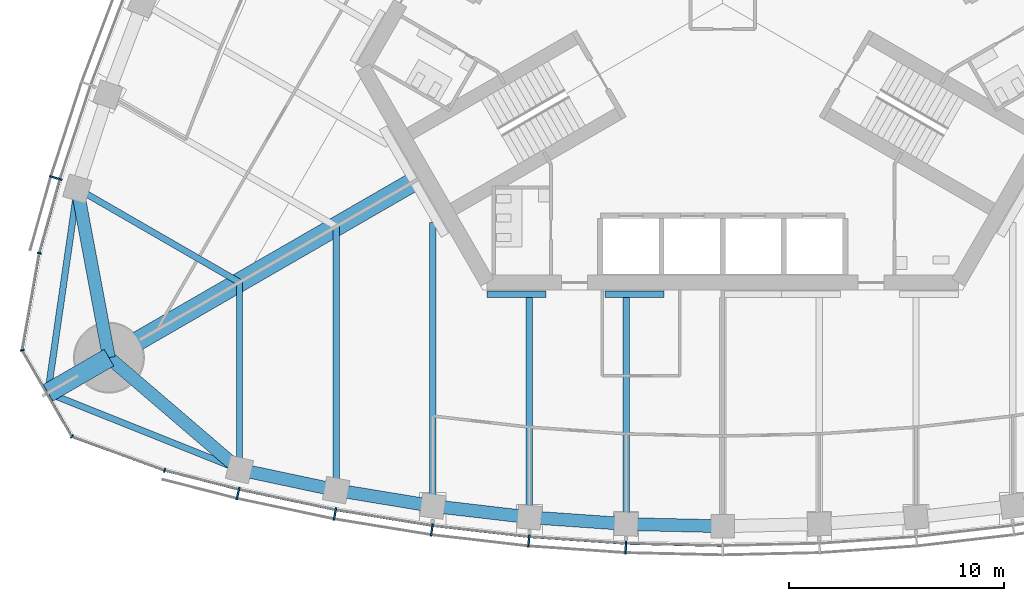
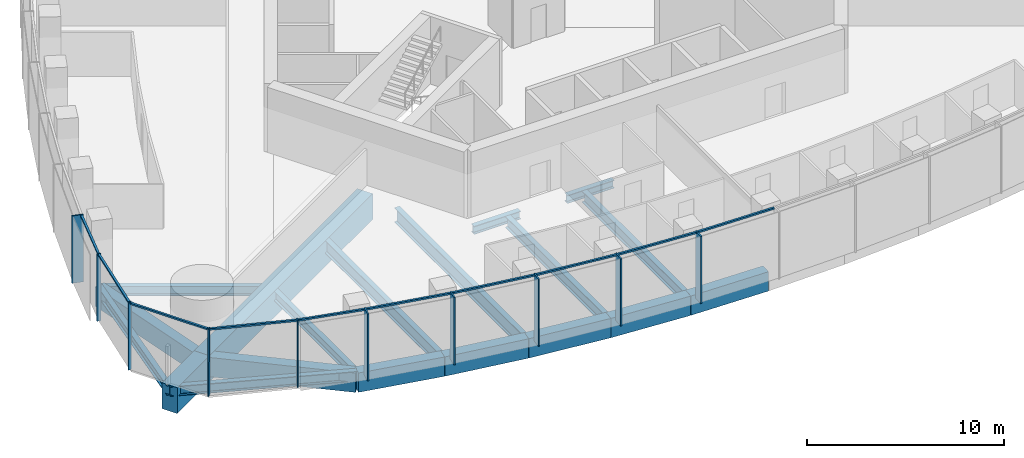
# One storey, part 2 of 19: 20 members, 19 beams, 3 elements without a shape of their own.
"""IFC4 building model written with IfcOpenShell, lengths in metres."""

from ifc_helpers import new_model, si_unit, direction, frame, origin, origin_2d, place, context, subcontext, project, spatial, rectangle, i_section, extrude, material, material_profile, profile_set, type_object, element, aggregate, save


model = new_model("IFC4")

# Units and contexts
model_context = context("Model", 3, precision=1e-05, world=origin(), true_north=direction((0.0, 1.0)))
body_context = subcontext(model_context, "Body", "Model", "MODEL_VIEW")
ifc_project = project(units=[si_unit("LENGTHUNIT", "METRE"), si_unit("AREAUNIT", "SQUARE_METRE"), si_unit("VOLUMEUNIT", "CUBIC_METRE"), si_unit("PLANEANGLEUNIT", "RADIAN"), si_unit("MASSUNIT", "GRAM", prefix="KILO")], contexts=[model_context])

# Site, building, storey
site_placement = place(None, origin())
site = spatial("IfcSite", under=ifc_project, at=site_placement, CompositionType="ELEMENT")
building_placement = place(site_placement, origin())
building = spatial("IfcBuilding", under=site, at=building_placement, Name="Trefoil Bronze Tower", CompositionType="ELEMENT")
storey_placement = place(building_placement, frame((0.0, 0.0, 223.300048828125)))
storey = spatial("IfcBuildingStorey", under=building, at=storey_placement, Name="L51", CompositionType="ELEMENT", Elevation=223.300048828125)

# Curtain wall, members
ifc_material_1 = material(Name="Tinted solar-control glass", Category="glass")
curtain_wall_type_1 = type_object("IfcCurtainWallType", Name="Bronze office curtain wall", PredefinedType="USERDEFINED", material=ifc_material_1)
curtain_wall_1_placement = place(storey_placement, origin())
curtain_wall_1 = element("IfcCurtainWall", 1, at=curtain_wall_1_placement, inside=storey, type_object=curtain_wall_type_1, Name="CW-A L51 F1", ObjectType="CURTAIN WALL", PredefinedType="USERDEFINED")
ifc_material_2 = material(Name="Bronze-finish aluminium", Category="aluminium")
ifc_material_profile_1 = material_profile(ifc_material_2, rectangle(XDim=0.60009765625, YDim=0.080078125, at=origin_2d()), Name="CW-A mullion")
ifc_profile_set_1 = profile_set([ifc_material_profile_1], Name="Bronze-finish aluminium")
member_type_1 = type_object("IfcMemberType", Name="Bronze office curtain wall mullion", PredefinedType="MULLION", material=ifc_profile_set_1)
member_1_placement = place(storey_placement, frame((-22.568115234375, -22.82421875, 0.0), z_axis=(0.0, 0.0, 1.0), x_axis=(0.227082662569, 0.973875487093, 0.0)))
member_1 = element("IfcMember", 2, at=member_1_placement, type_object=member_type_1, Name="CW-A L51 F1 mullion 2", PredefinedType="MULLION", context=body_context, shape_type="SweptSolid", body=[
    extrude(rectangle(XDim=0.60009765625, YDim=0.080078125, at=origin_2d()), origin(), (0.0, 0.0, 1.0), 4.179931640625),
])
member_2_placement = place(storey_placement, frame((-18.05517578125, -23.77783203125, 0.0), z_axis=(0.0, 0.0, 1.0), x_axis=(0.183825368167, 0.982958917767, 0.0)))
member_2 = element("IfcMember", 3, at=member_2_placement, type_object=member_type_1, Name="CW-A L51 F1 mullion 3", PredefinedType="MULLION", context=body_context, shape_type="SweptSolid", body=[
    extrude(rectangle(XDim=0.60009765625, YDim=0.080078125, at=origin_2d()), origin(), (0.0, 0.0, 1.0), 4.179931640625),
])
member_3_placement = place(storey_placement, frame((-13.541259765625, -24.51318359375, 0.0), z_axis=(0.0, 0.0, 1.0), x_axis=(0.137867887204, 0.990450627582, 0.0)))
member_3 = element("IfcMember", 4, at=member_3_placement, type_object=member_type_1, Name="CW-A L51 F1 mullion 4", PredefinedType="MULLION", context=body_context, shape_type="SweptSolid", body=[
    extrude(rectangle(XDim=0.60009765625, YDim=0.080078125, at=origin_2d()), origin(), (0.0, 0.0, 1.0), 4.179931640625),
])
member_4_placement = place(storey_placement, frame((-9.027587890625, -25.03515625, 0.0), z_axis=(0.0, 0.0, 1.0), x_axis=(0.091911396394, 0.995767189263, 0.0)))
member_4 = element("IfcMember", 5, at=member_4_placement, type_object=member_type_1, Name="CW-A L51 F1 mullion 5", PredefinedType="MULLION", context=body_context, shape_type="SweptSolid", body=[
    extrude(rectangle(XDim=0.60009765625, YDim=0.080078125, at=origin_2d()), origin(), (0.0, 0.0, 1.0), 4.179931640625),
])
member_5_placement = place(storey_placement, frame((-4.513671875, -25.346923828125, 0.0), z_axis=(0.0, 0.0, 1.0), x_axis=(0.045955542372, 0.998943485952, 0.0)))
member_5 = element("IfcMember", 6, at=member_5_placement, type_object=member_type_1, Name="CW-A L51 F1 mullion 6", PredefinedType="MULLION", context=body_context, shape_type="SweptSolid", body=[
    extrude(rectangle(XDim=0.60009765625, YDim=0.080078125, at=origin_2d()), origin(), (0.0, 0.0, 1.0), 4.179931640625),
])

# Curtain wall, member
curtain_wall_2_placement = place(storey_placement, origin())
curtain_wall_2 = element("IfcCurtainWall", 7, at=curtain_wall_2_placement, inside=storey, type_object=curtain_wall_type_1, Name="CW-A L51 F3", ObjectType="CURTAIN WALL", PredefinedType="USERDEFINED")
member_6_placement = place(storey_placement, frame((-31.05029296875, -8.132568359375, 0.0), z_axis=(0.0, 0.0, 1.0), x_axis=(0.95694224323, -0.290278389002, 0.0)))
member_6 = element("IfcMember", 8, at=member_6_placement, type_object=member_type_1, Name="CW-A L51 F3 mullion 12", PredefinedType="MULLION", context=body_context, shape_type="SweptSolid", body=[
    extrude(rectangle(XDim=0.60009765625, YDim=0.080078125, at=origin_2d()), origin(), (0.0, 0.0, 1.0), 4.179931640625),
])

# Member
ifc_material_3 = material(Name="Bronze-finish aluminium", Category="aluminium")
ifc_material_profile_2 = material_profile(ifc_material_3, rectangle(XDim=0.1201171875, YDim=0.10009765625, at=origin_2d()), Name="CW-A transom")
ifc_profile_set_2 = profile_set([ifc_material_profile_2], Name="Bronze-finish aluminium")
member_type_2 = type_object("IfcMemberType", Name="Bronze office curtain wall transom", PredefinedType="USERDEFINED", material=ifc_profile_set_2)
member_7_placement = place(storey_placement, frame((-25.93896484375, -21.75732421875, 4.1298828125), z_axis=(0.968935220916, -0.247314653162, 0.0), x_axis=(0.247314653162, 0.968935220916, 0.0)))
member_7 = element("IfcMember", 9, at=member_7_placement, type_object=member_type_2, Name="CW-A L51 F1 transom 1", ObjectType="TRANSOM", PredefinedType="USERDEFINED", context=body_context, shape_type="SweptSolid", body=[
    extrude(rectangle(XDim=0.1201171875, YDim=0.10009765625, at=origin_2d()), origin(), (0.0, 0.0, 1.0), 3.483642578125),
])

member_8_placement = place(storey_placement, frame((-22.4814453125, -22.63818359375, 4.1298828125), z_axis=(0.978395325657, -0.20674280334, 0.0), x_axis=(0.20674280334, 0.978395325657, 0.0)))
member_8 = element("IfcMember", 10, at=member_8_placement, type_object=member_type_2, Name="CW-A L51 F1 transom 2", ObjectType="TRANSOM", PredefinedType="USERDEFINED", context=body_context, shape_type="SweptSolid", body=[
    extrude(rectangle(XDim=0.1201171875, YDim=0.10009765625, at=origin_2d()), origin(), (0.0, 0.0, 1.0), 4.519287109375),
])

member_9_placement = place(storey_placement, frame((-17.9765625, -23.588134765625, 4.1298828125), z_axis=(0.986988367046, -0.160791676761, 0.0), x_axis=(0.160791676761, 0.986988367046, 0.0)))
member_9 = element("IfcMember", 11, at=member_9_placement, type_object=member_type_2, Name="CW-A L51 F1 transom 3", ObjectType="TRANSOM", PredefinedType="USERDEFINED", context=body_context, shape_type="SweptSolid", body=[
    extrude(rectangle(XDim=0.1201171875, YDim=0.10009765625, at=origin_2d()), origin(), (0.0, 0.0, 1.0), 4.479248046875),
])

member_10_placement = place(storey_placement, frame((-13.4716796875, -24.320068359375, 4.1298828125), z_axis=(0.993384885596, -0.114832352013, 0.0), x_axis=(0.114832352013, 0.993384885596, 0.0)))
member_10 = element("IfcMember", 12, at=member_10_placement, type_object=member_type_2, Name="CW-A L51 F1 transom 4", ObjectType="TRANSOM", PredefinedType="USERDEFINED", context=body_context, shape_type="SweptSolid", body=[
    extrude(rectangle(XDim=0.1201171875, YDim=0.10009765625, at=origin_2d()), origin(), (0.0, 0.0, 1.0), 4.449951171875),
])

member_11_placement = place(storey_placement, frame((-8.967041015625, -24.8388671875, 4.1298828125), z_axis=(0.997621320987, -0.06893257512, 0.0), x_axis=(0.06893257512, 0.997621320987, 0.0)))
member_11 = element("IfcMember", 13, at=member_11_placement, type_object=member_type_2, Name="CW-A L51 F1 transom 5", ObjectType="TRANSOM", PredefinedType="USERDEFINED", context=body_context, shape_type="SweptSolid", body=[
    extrude(rectangle(XDim=0.1201171875, YDim=0.10009765625, at=origin_2d()), origin(), (0.0, 0.0, 1.0), 4.4306640625),
])

member_12_placement = place(storey_placement, frame((-4.46240234375, -25.148193359375, 4.1298828125), z_axis=(0.999736131416, -0.022971015226, 0.0), x_axis=(0.022971015226, 0.999736131416, 0.0)))
member_12 = element("IfcMember", 14, at=member_12_placement, type_object=member_type_2, Name="CW-A L51 F1 transom 6", ObjectType="TRANSOM", PredefinedType="USERDEFINED", context=body_context, shape_type="SweptSolid", body=[
    extrude(rectangle(XDim=0.1201171875, YDim=0.10009765625, at=origin_2d()), origin(), (0.0, 0.0, 1.0), 4.42138671875),
])

aggregate(curtain_wall_1, [member_1, member_2, member_3, member_4, member_5, member_7, member_8, member_9, member_10, member_11, member_12])

member_13_placement = place(storey_placement, frame((-30.870361328125, -8.23095703125, 4.1298828125), z_axis=(-0.270284880437, -0.962780392097, 0.0), x_axis=(0.962780392097, -0.270284880437, 0.0)))
member_13 = element("IfcMember", 15, at=member_13_placement, type_object=member_type_2, Name="CW-A L51 F3 transom 12", ObjectType="TRANSOM", PredefinedType="USERDEFINED", context=body_context, shape_type="SweptSolid", body=[
    extrude(rectangle(XDim=0.1201171875, YDim=0.10009765625, at=origin_2d()), origin(), (0.0, 0.0, 1.0), 3.48388671875),
])

aggregate(curtain_wall_2, [member_6, member_13])

# Curtain wall, members
ifc_material_4 = material(Name="Tinted solar-control glass", Category="glass")
curtain_wall_type_2 = type_object("IfcCurtainWallType", Name="Bronze rounded corner curtain wall", PredefinedType="USERDEFINED", material=ifc_material_4)
curtain_wall_3_placement = place(storey_placement, origin())
curtain_wall_3 = element("IfcCurtainWall", 16, at=curtain_wall_3_placement, inside=storey, type_object=curtain_wall_type_2, Name="CW-B L51 K3", ObjectType="CURTAIN WALL", PredefinedType="USERDEFINED")
ifc_material_5 = material(Name="Bronze-finish aluminium", Category="aluminium")
ifc_material_profile_3 = material_profile(ifc_material_5, rectangle(XDim=0.199951171875, YDim=0.06005859375, at=origin_2d()), Name="CW-B mullion")
ifc_profile_set_3 = profile_set([ifc_material_profile_3], Name="Bronze-finish aluminium")
member_type_3 = type_object("IfcMemberType", Name="Bronze rounded corner curtain wall mullion", PredefinedType="MULLION", material=ifc_profile_set_3)
member_14_placement = place(storey_placement, frame((-31.824951171875, -11.63330078125, 0.0), z_axis=(0.0, 0.0, 1.0), x_axis=(0.984807753012, -0.173648177667, 0.0)))
member_14 = element("IfcMember", 17, at=member_14_placement, type_object=member_type_3, Name="CW-B L51 K3 mullion 1", PredefinedType="MULLION", context=body_context, shape_type="SweptSolid", body=[
    extrude(rectangle(XDim=0.199951171875, YDim=0.06005859375, at=origin_2d()), origin(), (0.0, 0.0, 1.0), 4.179931640625),
])
member_15_placement = place(storey_placement, frame((-32.616943359375, -16.158935546875, 0.0), z_axis=(0.0, 0.0, 1.0), x_axis=(0.984807753012, 0.173648177667, 0.0)))
member_15 = element("IfcMember", 18, at=member_15_placement, type_object=member_type_3, Name="CW-B L51 K3 mullion 2", PredefinedType="MULLION", context=body_context, shape_type="SweptSolid", body=[
    extrude(rectangle(XDim=0.199951171875, YDim=0.06005859375, at=origin_2d()), origin(), (0.0, 0.0, 1.0), 4.179931640625),
])
member_16_placement = place(storey_placement, frame((-30.302490234375, -20.16748046875, 0.0), z_axis=(0.0, 0.0, 1.0), x_axis=(0.642787609687, 0.766044443119, 0.0)))
member_16 = element("IfcMember", 19, at=member_16_placement, type_object=member_type_3, Name="CW-B L51 K3 mullion 3", PredefinedType="MULLION", context=body_context, shape_type="SweptSolid", body=[
    extrude(rectangle(XDim=0.199951171875, YDim=0.06005859375, at=origin_2d()), origin(), (0.0, 0.0, 1.0), 4.179931640625),
])
member_17_placement = place(storey_placement, frame((-25.9873046875, -21.74462890625, 0.0), z_axis=(0.0, 0.0, 1.0), x_axis=(0.342020143326, 0.939692620786, 0.0)))
member_17 = element("IfcMember", 20, at=member_17_placement, type_object=member_type_3, Name="CW-B L51 K3 mullion 4", PredefinedType="MULLION", context=body_context, shape_type="SweptSolid", body=[
    extrude(rectangle(XDim=0.199951171875, YDim=0.06005859375, at=origin_2d()), origin(), (0.0, 0.0, 1.0), 4.179931640625),
])
ifc_material_6 = material(Name="Bronze-finish aluminium", Category="aluminium")
ifc_material_profile_4 = material_profile(ifc_material_6, rectangle(XDim=0.1201171875, YDim=0.10009765625, at=origin_2d()), Name="CW-B transom")
ifc_profile_set_4 = profile_set([ifc_material_profile_4], Name="Bronze-finish aluminium")
member_type_4 = type_object("IfcMemberType", Name="Bronze rounded corner curtain wall transom", PredefinedType="USERDEFINED", material=ifc_profile_set_4)
member_18_placement = place(storey_placement, frame((-31.830078125, -11.662841796875, 4.1298828125), z_axis=(-0.173655350028, -0.984806488304, 0.0), x_axis=(0.984806488304, -0.173655350028, 0.0)))
member_18 = element("IfcMember", 21, at=member_18_placement, type_object=member_type_4, Name="CW-B L51 K3 transom 1", ObjectType="TRANSOM", PredefinedType="USERDEFINED", context=body_context, shape_type="SweptSolid", body=[
    extrude(rectangle(XDim=0.1201171875, YDim=0.10009765625, at=origin_2d()), origin(), (0.0, 0.0, 1.0), 4.500244140625),
])
member_19_placement = place(storey_placement, frame((-32.590087890625, -16.217529296875, 4.1298828125), z_axis=(0.500007335828, -0.866021168401, 0.0), x_axis=(0.866021168401, 0.500007335828, 0.0)))
member_19 = element("IfcMember", 22, at=member_19_placement, type_object=member_type_4, Name="CW-B L51 K3 transom 2", ObjectType="TRANSOM", PredefinedType="USERDEFINED", context=body_context, shape_type="SweptSolid", body=[
    extrude(rectangle(XDim=0.1201171875, YDim=0.10009765625, at=origin_2d()), origin(), (0.0, 0.0, 1.0), 4.50048828125),
])
member_20_placement = place(storey_placement, frame((-30.244140625, -20.195068359375, 4.1298828125), z_axis=(0.939680910753, -0.342052314664, 0.0), x_axis=(0.342052314664, 0.939680910753, 0.0)))
member_20 = element("IfcMember", 23, at=member_20_placement, type_object=member_type_4, Name="CW-B L51 K3 transom 3", ObjectType="TRANSOM", PredefinedType="USERDEFINED", context=body_context, shape_type="SweptSolid", body=[
    extrude(rectangle(XDim=0.1201171875, YDim=0.10009765625, at=origin_2d()), origin(), (0.0, 0.0, 1.0), 4.500244140625),
])
aggregate(curtain_wall_3, [member_14, member_15, member_16, member_17, member_18, member_19, member_20])

# Beams
ifc_material_7 = material(Name="Steel C355", Category="steel")
ifc_material_profile_5 = material_profile(ifc_material_7, i_section(OverallWidth=0.300048828125, OverallDepth=0.5, WebThickness=0.014404296875, FlangeThickness=0.028076171875, FilletRadius=0.027099609375, at=origin_2d()), Name="HEB 500")
ifc_profile_set_5 = profile_set([ifc_material_profile_5], Name="Steel C355")
beam_type_1 = type_object("IfcBeamType", Name="Core seat beam HEB 500", PredefinedType="BEAM", material=ifc_profile_set_5)
for number, where, z_axis, x_axis, name in (
    (24, (-10.9697265625, -13.550048828125, -0.449951171875), (1.0, 0.0, 0.0), (0.0, 1.0, 0.0), "Core seat beam F1/-2 L51"),
    (25, (-5.48486328125, -13.550048828125, -0.449951171875), (1.0, 0.0, 0.0), (0.0, 1.0, 0.0), "Core seat beam F1/-1 L51"),
):
    element("IfcBeam", number, at=place(storey_placement, frame(where, z_axis=z_axis, x_axis=x_axis)), inside=storey, type_object=beam_type_1, Name=name, PredefinedType="BEAM", context=body_context, shape_type="SweptSolid", body=[
        extrude(i_section(OverallWidth=0.300048828125, OverallDepth=0.5, WebThickness=0.014404296875, FlangeThickness=0.028076171875, FilletRadius=0.027099609375, at=origin_2d()), origin(), (0.0, 0.0, 1.0), 2.742431640625),
    ])
ifc_material_8 = material(Name="Concrete B80", Category="concrete")
ifc_material_profile_6 = material_profile(ifc_material_8, rectangle(XDim=0.89990234375, YDim=1.60009765625, at=origin_2d()), Name="RC 900x1600")
ifc_profile_set_6 = profile_set([ifc_material_profile_6], Name="Concrete B80")
beam_type_2 = type_object("IfcBeamType", Name="Corner cantilever RC 900x1600", PredefinedType="BEAM", material=ifc_profile_set_6)
beam_1_placement = place(storey_placement, frame((-28.578857421875, -16.5, -1.0), z_axis=(-0.866016004958, -0.500016278891, 0.0), x_axis=(0.500016278891, -0.866016004958, 0.0)))
element("IfcBeam", 26, at=beam_1_placement, inside=storey, type_object=beam_type_2, Name="Corner cantilever K3 L51", PredefinedType="BEAM", context=body_context, shape_type="SweptSolid", body=[
    extrude(rectangle(XDim=0.89990234375, YDim=1.60009765625, at=origin_2d()), origin(), (0.0, 0.0, 1.0), 3.28466796875),
])
ifc_material_9 = material(Name="Steel C355", Category="steel")
ifc_material_profile_7 = material_profile(ifc_material_9, i_section(OverallWidth=0.300048828125, OverallDepth=0.60009765625, WebThickness=0.015380859375, FlangeThickness=0.030029296875, FilletRadius=0.027099609375, at=origin_2d()), Name="HEB 600")
ifc_profile_set_7 = profile_set([ifc_material_profile_7], Name="Steel C355")
beam_type_3 = type_object("IfcBeamType", Name="Corner edge beam HEB 600", PredefinedType="BEAM", material=ifc_profile_set_7)
for number, where, z_axis, x_axis, name in (
    (27, (-22.5, -21.71044921875, -0.5), (-0.92852048463, 0.371281173266, 0.0), (-0.371281173266, -0.92852048463, 0.0), "Corner edge beam F1B L51"),
    (28, (-30.052001953125, -8.63037109375, -0.5), (-0.142694489722, -0.989766781925, 0.0), (0.989766781925, -0.142694489722, 0.0), "Corner edge beam F3A L51"),
):
    element("IfcBeam", number, at=place(storey_placement, frame(where, z_axis=z_axis, x_axis=x_axis)), inside=storey, type_object=beam_type_3, Name=name, PredefinedType="BEAM", context=body_context, shape_type="SweptSolid", body=[
        extrude(i_section(OverallWidth=0.300048828125, OverallDepth=0.60009765625, WebThickness=0.015380859375, FlangeThickness=0.030029296875, FilletRadius=0.027099609375, at=origin_2d()), origin(), (0.0, 0.0, 1.0), 9.6103515625),
    ])
ifc_material_10 = material(Name="Concrete B80", Category="concrete")
ifc_material_profile_8 = material_profile(ifc_material_10, rectangle(XDim=0.89990234375, YDim=1.60009765625, at=origin_2d()), Name="RC 900x1600")
ifc_profile_set_8 = profile_set([ifc_material_profile_8], Name="Concrete B80")
beam_type_4 = type_object("IfcBeamType", Name="Corner girder RC 900x1600", PredefinedType="BEAM", material=ifc_profile_set_8)
beam_2_placement = place(storey_placement, frame((-14.202880859375, -8.199951171875, -1.0), z_axis=(-0.866023450265, -0.500003383579, 0.0), x_axis=(0.500003383579, -0.866023450265, 0.0)))
element("IfcBeam", 29, at=beam_2_placement, inside=storey, type_object=beam_type_4, Name="Corner girder K3 L51", PredefinedType="BEAM", context=body_context, shape_type="SweptSolid", body=[
    extrude(rectangle(XDim=0.89990234375, YDim=1.60009765625, at=origin_2d()), origin(), (0.0, 0.0, 1.0), 16.60009765625),
])
ifc_material_11 = material(Name="Concrete B80", Category="concrete")
ifc_material_profile_9 = material_profile(ifc_material_11, rectangle(XDim=0.60009765625, YDim=1.199951171875, at=origin_2d()), Name="RC 600x1200")
ifc_profile_set_9 = profile_set([ifc_material_profile_9], Name="Concrete B80")
beam_type_5 = type_object("IfcBeamType", Name="End spandrel beam RC 600x1200", PredefinedType="SPANDREL", material=ifc_profile_set_9)
for number, where, z_axis, x_axis, name in (
    (30, (-28.578857421875, -16.5, -0.800048828125), (0.759256602365, -0.650791373456, 0.0), (0.650791373456, 0.759256602365, 0.0), "Spandrel F1.1 L51"),
    (31, (-30.052001953125, -8.63037109375, -0.800048828125), (0.18399763073, -0.982926686933, 0.0), (0.982926686933, 0.18399763073, 0.0), "Spandrel F3.12 L51"),
):
    element("IfcBeam", number, at=place(storey_placement, frame(where, z_axis=z_axis, x_axis=x_axis)), inside=storey, type_object=beam_type_5, Name=name, PredefinedType="SPANDREL", context=body_context, shape_type="SweptSolid", body=[
        extrude(rectangle(XDim=0.60009765625, YDim=1.199951171875, at=origin_2d()), origin(), (0.0, 0.0, 1.0), 8.00634765625),
    ])
ifc_material_12 = material(Name="Steel C355", Category="steel")
ifc_material_profile_10 = material_profile(ifc_material_12, i_section(OverallWidth=0.300048828125, OverallDepth=0.590087890625, WebThickness=0.012939453125, FlangeThickness=0.02490234375, FilletRadius=0.027099609375, at=origin_2d()), Name="HEA 600")
ifc_profile_set_10 = profile_set([ifc_material_profile_10], Name="Steel C355")
beam_type_6 = type_object("IfcBeamType", Name="Floor beam HEA 600", PredefinedType="BEAM", material=ifc_profile_set_10)
beam_3_placement = place(storey_placement, frame((-22.5, -21.71044921875, -0.4951171875), z_axis=(0.0, 1.0, 0.0), x_axis=(-1.0, 0.0, 0.0)))
element("IfcBeam", 32, at=beam_3_placement, inside=storey, type_object=beam_type_6, Name="Floor beam F1/-5 L51", PredefinedType="BEAM", context=body_context, shape_type="SweptSolid", body=[
    extrude(i_section(OverallWidth=0.300048828125, OverallDepth=0.590087890625, WebThickness=0.012939453125, FlangeThickness=0.02490234375, FilletRadius=0.027099609375, at=origin_2d()), origin(), (0.0, 0.0, 1.0), 8.719970703125),
])
beam_4_placement = place(storey_placement, frame((-30.052001953125, -8.63037109375, -0.4951171875), z_axis=(0.866027535932, -0.499996306993, 0.0), x_axis=(0.499996306993, 0.866027535932, 0.0)))
element("IfcBeam", 33, at=beam_4_placement, inside=storey, type_object=beam_type_6, Name="Floor beam F3/+5 L51", PredefinedType="BEAM", context=body_context, shape_type="SweptSolid", body=[
    extrude(i_section(OverallWidth=0.300048828125, OverallDepth=0.590087890625, WebThickness=0.012939453125, FlangeThickness=0.02490234375, FilletRadius=0.027099609375, at=origin_2d()), origin(), (0.0, 0.0, 1.0), 8.72021484375),
])
ifc_material_13 = material(Name="Steel C355", Category="steel")
ifc_material_profile_11 = material_profile(ifc_material_13, i_section(OverallWidth=0.300048828125, OverallDepth=0.699951171875, WebThickness=0.01708984375, FlangeThickness=0.031982421875, FilletRadius=0.027099609375, at=origin_2d()), Name="HEB 700")
ifc_profile_set_11 = profile_set([ifc_material_profile_11], Name="Steel C355")
beam_type_7 = type_object("IfcBeamType", Name="Floor beam HEB 700", PredefinedType="BEAM", material=ifc_profile_set_11)
beam_5_placement = place(storey_placement, frame((-9.0, -23.932861328125, -0.550048828125), z_axis=(0.0, 1.0, 0.0), x_axis=(-1.0, 0.0, 0.0)))
element("IfcBeam", 34, at=beam_5_placement, inside=storey, type_object=beam_type_7, Name="Floor beam F1/-2 L51", PredefinedType="BEAM", context=body_context, shape_type="SweptSolid", body=[
    extrude(i_section(OverallWidth=0.300048828125, OverallDepth=0.699951171875, WebThickness=0.01708984375, FlangeThickness=0.031982421875, FilletRadius=0.027099609375, at=origin_2d()), origin(), (0.0, 0.0, 1.0), 10.23291015625),
])
beam_6_placement = place(storey_placement, frame((-4.5, -24.246337890625, -0.550048828125), z_axis=(0.0, 1.0, 0.0), x_axis=(-1.0, 0.0, 0.0)))
element("IfcBeam", 35, at=beam_6_placement, inside=storey, type_object=beam_type_7, Name="Floor beam F1/-1 L51", PredefinedType="BEAM", context=body_context, shape_type="SweptSolid", body=[
    extrude(i_section(OverallWidth=0.300048828125, OverallDepth=0.699951171875, WebThickness=0.01708984375, FlangeThickness=0.031982421875, FilletRadius=0.027099609375, at=origin_2d()), origin(), (0.0, 0.0, 1.0), 10.54638671875),
])
ifc_material_14 = material(Name="Steel C355", Category="steel")
ifc_material_profile_12 = material_profile(ifc_material_14, i_section(OverallWidth=0.300048828125, OverallDepth=0.800048828125, WebThickness=0.017578125, FlangeThickness=0.032958984375, FilletRadius=0.030029296875, at=origin_2d()), Name="HEB 800")
ifc_profile_set_12 = profile_set([ifc_material_profile_12], Name="Steel C355")
beam_type_8 = type_object("IfcBeamType", Name="Floor beam HEB 800", PredefinedType="BEAM", material=ifc_profile_set_12)
beam_7_placement = place(storey_placement, frame((-18.0, -22.6689453125, -0.60009765625), z_axis=(0.0, 1.0, 0.0), x_axis=(-1.0, 0.0, 0.0)))
element("IfcBeam", 36, at=beam_7_placement, inside=storey, type_object=beam_type_8, Name="Floor beam F1/-4 L51", PredefinedType="BEAM", context=body_context, shape_type="SweptSolid", body=[
    extrude(i_section(OverallWidth=0.300048828125, OverallDepth=0.800048828125, WebThickness=0.017578125, FlangeThickness=0.032958984375, FilletRadius=0.030029296875, at=origin_2d()), origin(), (0.0, 0.0, 1.0), 12.276611328125),
])
ifc_material_15 = material(Name="Steel C355", Category="steel")
ifc_material_profile_13 = material_profile(ifc_material_15, i_section(OverallWidth=0.300048828125, OverallDepth=0.89990234375, WebThickness=0.0185546875, FlangeThickness=0.034912109375, FilletRadius=0.030029296875, at=origin_2d()), Name="HEB 900")
ifc_profile_set_13 = profile_set([ifc_material_profile_13], Name="Steel C355")
beam_type_9 = type_object("IfcBeamType", Name="Floor beam HEB 900", PredefinedType="BEAM", material=ifc_profile_set_13)
beam_8_placement = place(storey_placement, frame((-13.5, -23.408447265625, -0.650146484375), z_axis=(0.0, 1.0, 0.0), x_axis=(-1.0, 0.0, 0.0)))
element("IfcBeam", 37, at=beam_8_placement, inside=storey, type_object=beam_type_9, Name="Floor beam F1/-3 L51", PredefinedType="BEAM", context=body_context, shape_type="SweptSolid", body=[
    extrude(i_section(OverallWidth=0.300048828125, OverallDepth=0.89990234375, WebThickness=0.0185546875, FlangeThickness=0.034912109375, FilletRadius=0.030029296875, at=origin_2d()), origin(), (0.0, 0.0, 1.0), 13.191162109375),
])
ifc_material_16 = material(Name="Concrete B80", Category="concrete")
ifc_material_profile_14 = material_profile(ifc_material_16, rectangle(XDim=0.60009765625, YDim=1.199951171875, at=origin_2d()), Name="RC 600x1200")
ifc_profile_set_14 = profile_set([ifc_material_profile_14], Name="Concrete B80")
beam_type_10 = type_object("IfcBeamType", Name="Spandrel beam RC 600x1200", PredefinedType="SPANDREL", material=ifc_profile_set_14)
beam_9_placement = place(storey_placement, frame((-22.5, -21.71044921875, -0.800048828125), z_axis=(0.978059483036, -0.208325820877, 0.0), x_axis=(0.208325820877, 0.978059483036, 0.0)))
element("IfcBeam", 38, at=beam_9_placement, inside=storey, type_object=beam_type_10, Name="Spandrel F1.2 L51", PredefinedType="SPANDREL", context=body_context, shape_type="SweptSolid", body=[
    extrude(rectangle(XDim=0.60009765625, YDim=1.199951171875, at=origin_2d()), origin(), (0.0, 0.0, 1.0), 4.600830078125),
])
beam_10_placement = place(storey_placement, frame((-18.0, -22.6689453125, -0.800048828125), z_axis=(0.986764681833, -0.162158757664, 0.0), x_axis=(0.162158757664, 0.986764681833, 0.0)))
element("IfcBeam", 39, at=beam_10_placement, inside=storey, type_object=beam_type_10, Name="Spandrel F1.3 L51", PredefinedType="SPANDREL", context=body_context, shape_type="SweptSolid", body=[
    extrude(rectangle(XDim=0.60009765625, YDim=1.199951171875, at=origin_2d()), origin(), (0.0, 0.0, 1.0), 4.560302734375),
])
beam_11_placement = place(storey_placement, frame((-13.5, -23.408447265625, -0.800048828125), z_axis=(0.993278017132, -0.115753102257, 0.0), x_axis=(0.115753102257, 0.993278017132, 0.0)))
element("IfcBeam", 40, at=beam_11_placement, inside=storey, type_object=beam_type_10, Name="Spandrel F1.4 L51", PredefinedType="SPANDREL", context=body_context, shape_type="SweptSolid", body=[
    extrude(rectangle(XDim=0.60009765625, YDim=1.199951171875, at=origin_2d()), origin(), (0.0, 0.0, 1.0), 4.530517578125),
])
beam_12_placement = place(storey_placement, frame((-9.0, -23.932861328125, -0.800048828125), z_axis=(0.997582435881, -0.069493047291, 0.0), x_axis=(0.069493047291, 0.997582435881, 0.0)))
element("IfcBeam", 41, at=beam_12_placement, inside=storey, type_object=beam_type_10, Name="Spandrel F1.5 L51", PredefinedType="SPANDREL", context=body_context, shape_type="SweptSolid", body=[
    extrude(rectangle(XDim=0.60009765625, YDim=1.199951171875, at=origin_2d()), origin(), (0.0, 0.0, 1.0), 4.510986328125),
])
beam_13_placement = place(storey_placement, frame((-4.5, -24.246337890625, -0.800048828125), z_axis=(0.999731770792, -0.023160018779, 0.0), x_axis=(0.023160018779, 0.999731770792, 0.0)))
element("IfcBeam", 42, at=beam_13_placement, inside=storey, type_object=beam_type_10, Name="Spandrel F1.6 L51", PredefinedType="SPANDREL", context=body_context, shape_type="SweptSolid", body=[
    extrude(rectangle(XDim=0.60009765625, YDim=1.199951171875, at=origin_2d()), origin(), (0.0, 0.0, 1.0), 4.501220703125),
])

save(model, "model.ifc")
